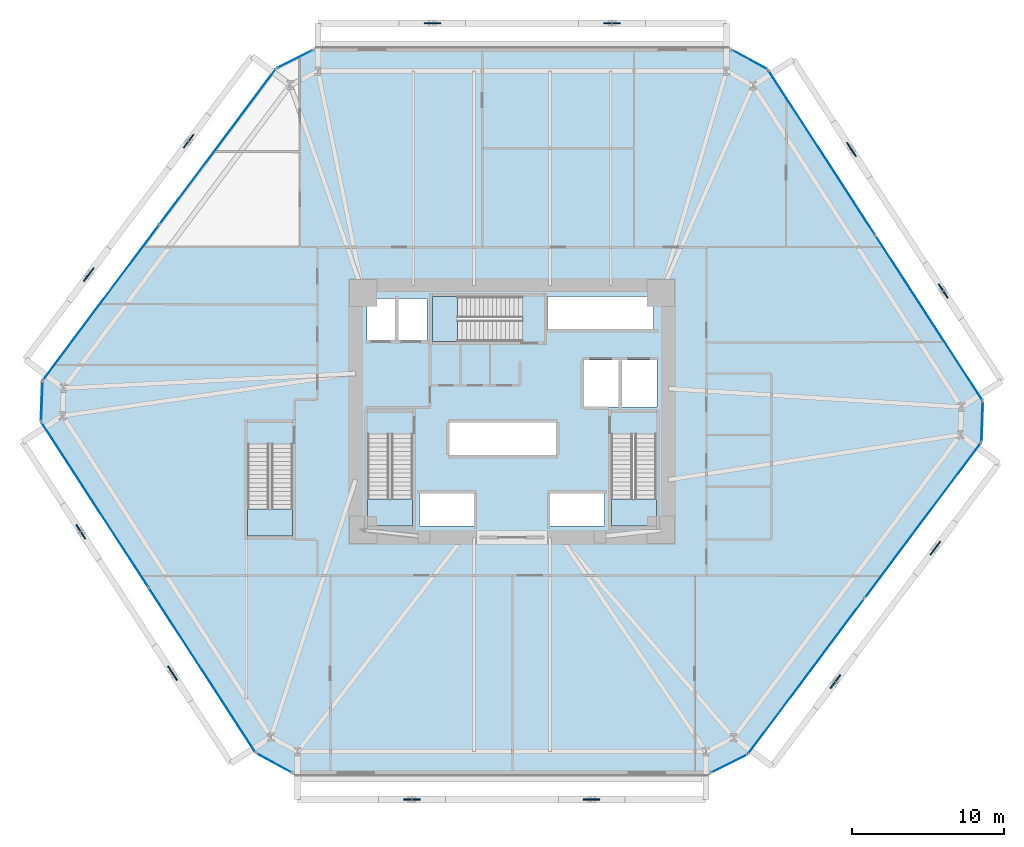
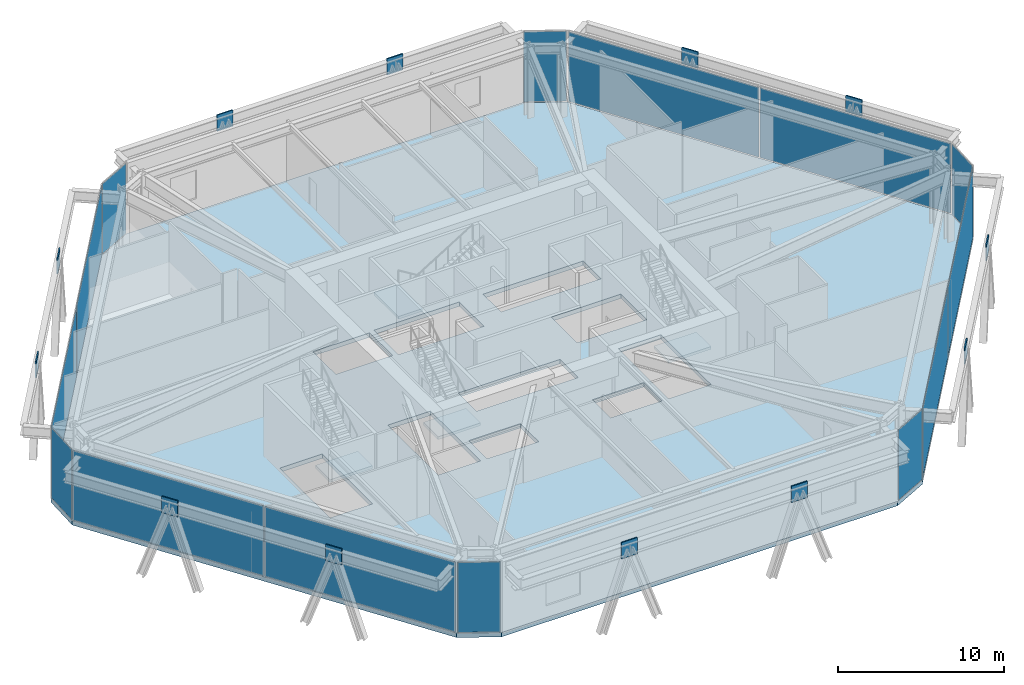
# One storey, part 12 of 23: 26 plates, 5 slabs, 14 elements without a shape of their own.
"""IFC4 building model written with IfcOpenShell, lengths in metres."""

from ifc_helpers import new_model, si_unit, direction, frame, origin, origin_2d, place, context, subcontext, project, spatial, polyline, rectangle, outline, extrude, source, transform, mapped, material, layer, layer_set, type_object, type_shapes, element, aggregate, save


model = new_model("IFC4")

# Units and contexts
model_context = context("Model", 3, precision=1e-05, world=origin(), true_north=direction((0.0, 1.0)))
body_context = subcontext(model_context, "Body", "Model", "MODEL_VIEW")
ifc_project = project(units=[si_unit("LENGTHUNIT", "METRE"), si_unit("AREAUNIT", "SQUARE_METRE"), si_unit("VOLUMEUNIT", "CUBIC_METRE"), si_unit("PLANEANGLEUNIT", "RADIAN"), si_unit("MASSUNIT", "GRAM", prefix="KILO")], contexts=[model_context])

# Site, building, storey
site_placement = place(None, origin())
site = spatial("IfcSite", under=ifc_project, at=site_placement, CompositionType="ELEMENT")
building_placement = place(site_placement, origin())
building = spatial("IfcBuilding", under=site, at=building_placement, Name="Durnholm Broadcast Tower", CompositionType="ELEMENT")
storey_placement = place(building_placement, frame((0.0, 0.0, 21.199951171875)))
storey = spatial("IfcBuildingStorey", under=building, at=storey_placement, Name="L04", CompositionType="ELEMENT", Elevation=21.199951171875)

# Slab
ifc_material_1 = material(Name="Concrete C50/60", Category="concrete")
ifc_layer_1 = layer(ifc_material_1, 0.320068359375)
ifc_layer_set_1 = layer_set([ifc_layer_1], Name="Concrete C50/60")
slab_type_1 = type_object("IfcSlabType", Name="SLAB-FLR-320", PredefinedType="FLOOR", material=ifc_layer_set_1)
slab_1_placement = place(storey_placement, frame((0.0, 0.0, -0.320068359375)))
element("IfcSlab", 1, at=slab_1_placement, inside=storey, type_object=slab_type_1, Name="L04 structural floor slab", PredefinedType="FLOOR", context=body_context, shape_type="SweptSolid", body=[
    extrude(outline(polyline([(-16.847412109375, -22.510986328125), (-14.47509765625, -23.800048828125), (13.102783203125, -23.800048828125), (15.51708984375, -22.59130859375), (30.913818359375, -2.01708984375), (31.00439453125, 0.681396484375), (16.847412109375, 22.510986328125), (14.47509765625, 23.800048828125), (-13.102783203125, 23.800048828125), (-15.51708984375, 22.59130859375), (-30.913818359375, 2.01708984375), (-31.00439453125, -0.681396484375), (-16.847412109375, -22.510986328125)]), holes=[polyline([(-2.5, -5.35009765625), (-6.10009765625, -5.35009765625), (-6.10009765625, -7.550048828125), (-2.5, -7.550048828125), (-2.5, -5.35009765625)]), polyline([(6.10009765625, -5.35009765625), (2.5, -5.35009765625), (2.5, -7.550048828125), (6.10009765625, -7.550048828125), (6.10009765625, -5.35009765625)]), polyline([(-14.43994140625, -8.199951171875), (-14.43994140625, -2.14990234375), (-17.39990234375, -2.14990234375), (-17.39990234375, -8.199951171875), (-14.43994140625, -8.199951171875)]), polyline([(-9.5, -7.550048828125), (-6.5400390625, -7.550048828125), (-6.5400390625, -1.5), (-9.5, -1.5), (-9.5, -7.550048828125)]), polyline([(6.5400390625, -7.550048828125), (9.5, -7.550048828125), (9.5, -1.5), (6.5400390625, -1.5), (6.5400390625, -7.550048828125)]), polyline([(2.949951171875, -0.699951171875), (-4.14990234375, -0.699951171875), (-4.14990234375, -2.89990234375), (2.949951171875, -2.89990234375), (2.949951171875, -0.699951171875)]), polyline([(9.550048828125, 3.39990234375), (4.699951171875, 3.39990234375), (4.699951171875, 0.300048828125), (9.550048828125, 0.300048828125), (9.550048828125, 3.39990234375)]), polyline([(-5.60009765625, 7.449951171875), (-9.550048828125, 7.449951171875), (-9.550048828125, 4.699951171875), (-5.60009765625, 4.699951171875), (-5.60009765625, 7.449951171875)]), polyline([(-5.25, 7.56005859375), (-5.25, 4.60009765625), (0.699951171875, 4.60009765625), (0.699951171875, 7.56005859375), (-5.25, 7.56005859375)]), polyline([(9.31005859375, 5.39990234375), (9.31005859375, 7.550048828125), (2.35009765625, 7.550048828125), (2.35009765625, 5.39990234375), (9.31005859375, 5.39990234375)])]), origin(), (0.0, 0.0, 1.0), 0.320068359375),
])

# Stair, slab
stair_type = type_object("IfcStairType", Name="STAIR-DL-32R1750", PredefinedType="HALF_TURN_STAIR", material=ifc_material_1)
stair_1_placement = place(storey_placement, origin())
stair_1 = element("IfcStair", 2, at=stair_1_placement, inside=storey, type_object=stair_type, Name="L04 ST-1", PredefinedType="HALF_TURN_STAIR")
ifc_layer_2 = layer(ifc_material_1, 0.199951171875)
ifc_layer_set_2 = layer_set([ifc_layer_2], Name="Concrete C50/60")
slab_type_2 = type_object("IfcSlabType", Name="SLAB-LND-200", PredefinedType="LANDING", material=ifc_layer_set_2)
slab_2_placement = place(storey_placement, frame((0.0, 0.0, 2.60009765625)))
slab_2 = element("IfcSlab", 3, at=slab_2_placement, type_object=slab_type_2, Name="ST-1 landing 1", PredefinedType="LANDING", context=body_context, shape_type="SweptSolid", body=[
    extrude(outline(polyline([(-9.5, -5.77490234375), (-9.5, -7.550048828125), (-6.5400390625, -7.550048828125), (-6.5400390625, -5.77490234375), (-9.5, -5.77490234375)])), origin(), (0.0, 0.0, 1.0), 0.199951171875),
])
aggregate(stair_1, [slab_2])

stair_2_placement = place(storey_placement, origin())
stair_2 = element("IfcStair", 4, at=stair_2_placement, inside=storey, type_object=stair_type, Name="L04 ST-2", PredefinedType="HALF_TURN_STAIR")
slab_3_placement = place(storey_placement, frame((0.0, 0.0, 2.60009765625)))
slab_3 = element("IfcSlab", 5, at=slab_3_placement, type_object=slab_type_2, Name="ST-2 landing 1", PredefinedType="LANDING", context=body_context, shape_type="SweptSolid", body=[
    extrude(outline(polyline([(6.5400390625, -5.77490234375), (6.5400390625, -7.550048828125), (9.5, -7.550048828125), (9.5, -5.77490234375), (6.5400390625, -5.77490234375)])), origin(), (0.0, 0.0, 1.0), 0.199951171875),
])
aggregate(stair_2, [slab_3])

stair_3_placement = place(storey_placement, origin())
stair_3 = element("IfcStair", 6, at=stair_3_placement, inside=storey, type_object=stair_type, Name="L04 ST-3", PredefinedType="HALF_TURN_STAIR")
slab_4_placement = place(storey_placement, frame((0.0, 0.0, 2.60009765625)))
slab_4 = element("IfcSlab", 7, at=slab_4_placement, type_object=slab_type_2, Name="ST-3 landing 1", PredefinedType="LANDING", context=body_context, shape_type="SweptSolid", body=[
    extrude(outline(polyline([(-3.574951171875, 7.56005859375), (-5.25, 7.56005859375), (-5.25, 4.60009765625), (-3.574951171875, 4.60009765625), (-3.574951171875, 7.56005859375)])), origin(), (0.0, 0.0, 1.0), 0.199951171875),
])
aggregate(stair_3, [slab_4])

stair_4_placement = place(storey_placement, origin())
stair_4 = element("IfcStair", 8, at=stair_4_placement, inside=storey, type_object=stair_type, Name="L04 ST-4", PredefinedType="HALF_TURN_STAIR")
slab_5_placement = place(storey_placement, frame((0.0, 0.0, 2.60009765625)))
slab_5 = element("IfcSlab", 9, at=slab_5_placement, type_object=slab_type_2, Name="ST-4 landing 1", PredefinedType="LANDING", context=body_context, shape_type="SweptSolid", body=[
    extrude(outline(polyline([(-17.39990234375, -6.425048828125), (-17.39990234375, -8.199951171875), (-14.43994140625, -8.199951171875), (-14.43994140625, -6.425048828125), (-17.39990234375, -6.425048828125)])), origin(), (0.0, 0.0, 1.0), 0.199951171875),
])
aggregate(stair_4, [slab_5])

# Plates
ifc_material_2 = material(Name="Steel ASTM A572 Grade 50", Category="steel")
ifc_layer_3 = layer(ifc_material_2, 0.080078125)
ifc_layer_set_3 = layer_set([ifc_layer_3], Name="Steel ASTM A572 Grade 50")
plate_type_1 = type_object("IfcPlateType", Name="PLT-KN01-GUS", PredefinedType="USERDEFINED", material=ifc_layer_set_3)
shared_shape_1 = source(origin(), body_context, "Body", "SweptSolid", [
    extrude(rectangle(XDim=1.10009765625, YDim=0.080078125, at=origin_2d()), origin(), (0.0, 0.0, 1.0), 1.199951171875),
])
type_shapes(plate_type_1, [shared_shape_1])
for number, where, z_axis, x_axis, name in (
    (10, (-6.58984375, -25.550048828125, 3.9287109375), (0.0, 0.0, 1.0), (1.0, 0.0, 0.0), "L04 welded diagrid node gusset plate KN01 F1"),
    (11, (5.242431640625, -25.550048828125, 3.9287109375), (0.0, 0.0, 1.0), (1.0, 0.0, 0.0), "L04 welded diagrid node gusset plate KN01 F1"),
    (12, (21.298095703125, -17.787109375, 3.9287109375), (0.0, 0.0, 1.0), (0.59916334338, 0.800626809413, 0.0), "L04 welded diagrid node gusset plate KN01 F2"),
    (13, (27.86962890625, -9.005859375, 3.9287109375), (0.0, 0.0, 1.0), (0.59916334338, 0.800626809413, 0.0), "L04 welded diagrid node gusset plate KN01 F2"),
    (14, (28.390625, 7.927978515625, 3.9287109375), (0.0, 0.0, 1.0), (-0.544053399827, 0.839050593311, 0.0), "L04 welded diagrid node gusset plate KN01 F3"),
    (15, (22.35205078125, 17.2392578125, 3.9287109375), (0.0, 0.0, 1.0), (-0.544053399827, 0.839050593311, 0.0), "L04 welded diagrid node gusset plate KN01 F3"),
    (16, (6.58984375, 25.550048828125, 3.9287109375), (0.0, 0.0, 1.0), (-1.0, 0.0, 0.0), "L04 welded diagrid node gusset plate KN01 F4"),
    (17, (-5.242431640625, 25.550048828125, 3.9287109375), (0.0, 0.0, 1.0), (-1.0, 0.0, 0.0), "L04 welded diagrid node gusset plate KN01 F4"),
    (18, (-21.298095703125, 17.787109375, 3.9287109375), (0.0, 0.0, 1.0), (-0.59916334338, -0.800626809413, 0.0), "L04 welded diagrid node gusset plate KN01 F5"),
    (19, (-27.86962890625, 9.005859375, 3.9287109375), (0.0, 0.0, 1.0), (-0.59916334338, -0.800626809413, 0.0), "L04 welded diagrid node gusset plate KN01 F5"),
    (20, (-28.390625, -7.927978515625, 3.9287109375), (0.0, 0.0, 1.0), (0.544053399827, -0.839050593311, 0.0), "L04 welded diagrid node gusset plate KN01 F6"),
    (21, (-22.35205078125, -17.2392578125, 3.9287109375), (0.0, 0.0, 1.0), (0.544053399827, -0.839050593311, 0.0), "L04 welded diagrid node gusset plate KN01 F6"),
):
    element("IfcPlate", number, at=place(storey_placement, frame(where, z_axis=z_axis, x_axis=x_axis)), inside=storey, type_object=plate_type_1, Name=name, ObjectType="GUSSET_PLATE", PredefinedType="USERDEFINED", context=body_context, shape_type="MappedRepresentation", body=[
        mapped(shared_shape_1, transform((0.0, 0.0, 0.0), x_axis=(1.0, 0.0, 0.0), y_axis=(0.0, 1.0, 0.0), z_axis=(0.0, 0.0, 1.0), scale=1.0)),
    ])

# Curtain wall, plate
ifc_material_3 = material(Name="Aluminium and Solar Control IGU", Category="aluminium")
ifc_layer_4 = layer(ifc_material_3, 0.1650390625)
ifc_layer_set_4 = layer_set([ifc_layer_4], Name="Aluminium and Solar Control IGU")
curtain_wall_type_1 = type_object("IfcCurtainWallType", Name="CW-SYS-5", PredefinedType="NOTDEFINED", material=ifc_layer_set_4)
curtain_wall_1_placement = place(storey_placement, origin())
curtain_wall_1 = element("IfcCurtainWall", 22, at=curtain_wall_1_placement, inside=storey, type_object=curtain_wall_type_1, Name="L04 curtain wall CW-CORNER CW-L04-CRN-01", PredefinedType="NOTDEFINED")
ifc_material_4 = material(Name="Low-E Laminated Insulating Glass", Category="glass")
ifc_layer_5 = layer(ifc_material_4, 0.030029296875)
ifc_layer_set_5 = layer_set([ifc_layer_5], Name="Low-E Laminated Insulating Glass")
plate_type_2 = type_object("IfcPlateType", Name="CW-SYS-5-PNL", PredefinedType="CURTAIN_PANEL", material=ifc_layer_set_5)
shared_shape_2 = source(origin(), body_context, "Body", "SweptSolid", [
    extrude(rectangle(XDim=2.56982421875, YDim=0.030029296875, at=origin_2d()), origin(), (0.0, 0.0, 1.0), 5.14990234375),
])
plate_1_placement = place(storey_placement, frame((-30.959228515625, 0.66796875, 0.065185546875), z_axis=(0.0, 0.0, 1.0), x_axis=(0.033556543118, 0.999436820621, 0.0)))
plate_1 = element("IfcPlate", 23, at=plate_1_placement, type_object=plate_type_2, Name="CW-CORNER panel 1.1", PredefinedType="CURTAIN_PANEL", context=body_context, shape_type="MappedRepresentation", body=[
    mapped(shared_shape_2, transform((0.0, 0.0, 0.0), x_axis=(1.0, 0.0, 0.0), y_axis=(0.0, 1.0, 0.0), z_axis=(0.0, 0.0, 1.0), scale=1.0)),
])
aggregate(curtain_wall_1, [plate_1])

curtain_wall_2_placement = place(storey_placement, origin())
curtain_wall_2 = element("IfcCurtainWall", 24, at=curtain_wall_2_placement, inside=storey, type_object=curtain_wall_type_1, Name="L04 curtain wall CW-CORNER CW-L04-CRN-07", PredefinedType="NOTDEFINED")
plate_2_placement = place(storey_placement, frame((30.959228515625, -0.66796875, 0.065185546875), z_axis=(0.0, 0.0, 1.0), x_axis=(-0.033556543118, -0.999436820621, 0.0)))
plate_2 = element("IfcPlate", 25, at=plate_2_placement, type_object=plate_type_2, Name="CW-CORNER panel 1.1", PredefinedType="CURTAIN_PANEL", context=body_context, shape_type="MappedRepresentation", body=[
    mapped(shared_shape_2, transform((0.0, 0.0, 0.0), x_axis=(1.0, 0.0, 0.0), y_axis=(0.0, 1.0, 0.0), z_axis=(0.0, 0.0, 1.0), scale=1.0)),
])
aggregate(curtain_wall_2, [plate_2])

# Curtain wall, plates
ifc_layer_6 = layer(ifc_material_3, 0.219970703125)
ifc_layer_set_6 = layer_set([ifc_layer_6], Name="Aluminium and Solar Control IGU")
curtain_wall_type_2 = type_object("IfcCurtainWallType", Name="CW-SYS-2", PredefinedType="NOTDEFINED", material=ifc_layer_set_6)
curtain_wall_3_placement = place(storey_placement, origin())
curtain_wall_3 = element("IfcCurtainWall", 26, at=curtain_wall_3_placement, inside=storey, type_object=curtain_wall_type_2, Name="L04 curtain wall CW-STUDIO CW-L04-F02", PredefinedType="NOTDEFINED")
ifc_layer_7 = layer(ifc_material_4, 0.0400390625)
ifc_layer_set_7 = layer_set([ifc_layer_7], Name="Low-E Laminated Insulating Glass")
plate_type_3 = type_object("IfcPlateType", Name="CW-SYS-2-PNL", PredefinedType="CURTAIN_PANEL", material=ifc_layer_set_7)
shared_shape_3 = source(origin(), body_context, "Body", "SweptSolid", [
    extrude(rectangle(XDim=12.736328125, YDim=0.0400390625, at=origin_2d()), origin(), (0.0, 0.0, 1.0), 5.1298828125),
])
plate_3_placement = place(storey_placement, frame((-27.053466796875, 7.17578125, 0.0751953125), z_axis=(0.0, 0.0, 1.0), x_axis=(0.59915662615, 0.800631836327, 0.0)))
plate_3 = element("IfcPlate", 27, at=plate_3_placement, type_object=plate_type_3, Name="CW-STUDIO panel 1.1", PredefinedType="CURTAIN_PANEL", context=body_context, shape_type="MappedRepresentation", body=[
    mapped(shared_shape_3, transform((0.0, 0.0, 0.0), x_axis=(1.0, 0.0, 0.0), y_axis=(0.0, 1.0, 0.0), z_axis=(0.0, 0.0, 1.0), scale=1.0)),
])
plate_4_placement = place(storey_placement, frame((-19.37744140625, 17.4326171875, 0.0751953125), z_axis=(0.0, 0.0, 1.0), x_axis=(0.59915662615, 0.800631836327, 0.0)))
plate_4 = element("IfcPlate", 28, at=plate_4_placement, type_object=plate_type_3, Name="CW-STUDIO panel 2.1", PredefinedType="CURTAIN_PANEL", context=body_context, shape_type="MappedRepresentation", body=[
    mapped(shared_shape_3, transform((0.0, 0.0, 0.0), x_axis=(1.0, 0.0, 0.0), y_axis=(0.0, 1.0, 0.0), z_axis=(0.0, 0.0, 1.0), scale=1.0)),
])
aggregate(curtain_wall_3, [plate_3, plate_4])

curtain_wall_4_placement = place(storey_placement, origin())
curtain_wall_4 = element("IfcCurtainWall", 29, at=curtain_wall_4_placement, inside=storey, type_object=curtain_wall_type_2, Name="L04 curtain wall CW-STUDIO CW-L04-F08", PredefinedType="NOTDEFINED")
plate_5_placement = place(storey_placement, frame((27.053466796875, -7.17578125, 0.0751953125), z_axis=(0.0, 0.0, 1.0), x_axis=(-0.59915662615, -0.800631836327, 0.0)))
plate_5 = element("IfcPlate", 30, at=plate_5_placement, type_object=plate_type_3, Name="CW-STUDIO panel 1.1", PredefinedType="CURTAIN_PANEL", context=body_context, shape_type="MappedRepresentation", body=[
    mapped(shared_shape_3, transform((0.0, 0.0, 0.0), x_axis=(1.0, 0.0, 0.0), y_axis=(0.0, 1.0, 0.0), z_axis=(0.0, 0.0, 1.0), scale=1.0)),
])
plate_6_placement = place(storey_placement, frame((19.37744140625, -17.4326171875, 0.0751953125), z_axis=(0.0, 0.0, 1.0), x_axis=(-0.59915662615, -0.800631836327, 0.0)))
plate_6 = element("IfcPlate", 31, at=plate_6_placement, type_object=plate_type_3, Name="CW-STUDIO panel 2.1", PredefinedType="CURTAIN_PANEL", context=body_context, shape_type="MappedRepresentation", body=[
    mapped(shared_shape_3, transform((0.0, 0.0, 0.0), x_axis=(1.0, 0.0, 0.0), y_axis=(0.0, 1.0, 0.0), z_axis=(0.0, 0.0, 1.0), scale=1.0)),
])
aggregate(curtain_wall_4, [plate_5, plate_6])

# Curtain wall, plate
curtain_wall_5_placement = place(storey_placement, origin())
curtain_wall_5 = element("IfcCurtainWall", 32, at=curtain_wall_5_placement, inside=storey, type_object=curtain_wall_type_1, Name="L04 curtain wall CW-CORNER CW-L04-CRN-03", PredefinedType="NOTDEFINED")
shared_shape_4 = source(origin(), body_context, "Body", "SweptSolid", [
    extrude(rectangle(XDim=2.570068359375, YDim=0.030029296875, at=origin_2d()), origin(), (0.0, 0.0, 1.0), 5.14990234375),
])
type_shapes(plate_type_2, [shared_shape_2, shared_shape_4])
plate_7_placement = place(storey_placement, frame((-14.31005859375, 23.195556640625, 0.065185546875), z_axis=(0.0, 0.0, 1.0), x_axis=(0.894197440313, 0.447672802098, 0.0)))
plate_7 = element("IfcPlate", 33, at=plate_7_placement, type_object=plate_type_2, Name="CW-CORNER panel 1.1", PredefinedType="CURTAIN_PANEL", context=body_context, shape_type="MappedRepresentation", body=[
    mapped(shared_shape_4, transform((0.0, 0.0, 0.0), x_axis=(1.0, 0.0, 0.0), y_axis=(0.0, 1.0, 0.0), z_axis=(0.0, 0.0, 1.0), scale=1.0)),
])
aggregate(curtain_wall_5, [plate_7])

curtain_wall_6_placement = place(storey_placement, origin())
curtain_wall_6 = element("IfcCurtainWall", 34, at=curtain_wall_6_placement, inside=storey, type_object=curtain_wall_type_1, Name="L04 curtain wall CW-CORNER CW-L04-CRN-05", PredefinedType="NOTDEFINED")
plate_8_placement = place(storey_placement, frame((15.661376953125, 23.155517578125, 0.065185546875), z_axis=(0.0, 0.0, 1.0), x_axis=(0.878663016429, -0.477442460995, 0.0)))
plate_8 = element("IfcPlate", 35, at=plate_8_placement, type_object=plate_type_2, Name="CW-CORNER panel 1.1", PredefinedType="CURTAIN_PANEL", context=body_context, shape_type="MappedRepresentation", body=[
    mapped(shared_shape_4, transform((0.0, 0.0, 0.0), x_axis=(1.0, 0.0, 0.0), y_axis=(0.0, 1.0, 0.0), z_axis=(0.0, 0.0, 1.0), scale=1.0)),
])
aggregate(curtain_wall_6, [plate_8])

curtain_wall_7_placement = place(storey_placement, origin())
curtain_wall_7 = element("IfcCurtainWall", 36, at=curtain_wall_7_placement, inside=storey, type_object=curtain_wall_type_1, Name="L04 curtain wall CW-CORNER CW-L04-CRN-09", PredefinedType="NOTDEFINED")
plate_9_placement = place(storey_placement, frame((14.31005859375, -23.195556640625, 0.065185546875), z_axis=(0.0, 0.0, 1.0), x_axis=(-0.894197440313, -0.447672802098, 0.0)))
plate_9 = element("IfcPlate", 37, at=plate_9_placement, type_object=plate_type_2, Name="CW-CORNER panel 1.1", PredefinedType="CURTAIN_PANEL", context=body_context, shape_type="MappedRepresentation", body=[
    mapped(shared_shape_4, transform((0.0, 0.0, 0.0), x_axis=(1.0, 0.0, 0.0), y_axis=(0.0, 1.0, 0.0), z_axis=(0.0, 0.0, 1.0), scale=1.0)),
])
aggregate(curtain_wall_7, [plate_9])

curtain_wall_8_placement = place(storey_placement, origin())
curtain_wall_8 = element("IfcCurtainWall", 38, at=curtain_wall_8_placement, inside=storey, type_object=curtain_wall_type_1, Name="L04 curtain wall CW-CORNER CW-L04-CRN-11", PredefinedType="NOTDEFINED")
plate_10_placement = place(storey_placement, frame((-15.661376953125, -23.155517578125, 0.065185546875), z_axis=(0.0, 0.0, 1.0), x_axis=(-0.878663016429, 0.477442460995, 0.0)))
plate_10 = element("IfcPlate", 39, at=plate_10_placement, type_object=plate_type_2, Name="CW-CORNER panel 1.1", PredefinedType="CURTAIN_PANEL", context=body_context, shape_type="MappedRepresentation", body=[
    mapped(shared_shape_4, transform((0.0, 0.0, 0.0), x_axis=(1.0, 0.0, 0.0), y_axis=(0.0, 1.0, 0.0), z_axis=(0.0, 0.0, 1.0), scale=1.0)),
])
aggregate(curtain_wall_8, [plate_10])

# Curtain wall, plates
curtain_wall_9_placement = place(storey_placement, origin())
curtain_wall_9 = element("IfcCurtainWall", 40, at=curtain_wall_9_placement, inside=storey, type_object=curtain_wall_type_2, Name="L04 curtain wall CW-STUDIO CW-L04-F06", PredefinedType="NOTDEFINED")
shared_shape_5 = source(origin(), body_context, "Body", "SweptSolid", [
    extrude(rectangle(XDim=12.896728515625, YDim=0.0400390625, at=origin_2d()), origin(), (0.0, 0.0, 1.0), 5.1298828125),
])
type_shapes(plate_type_3, [shared_shape_3, shared_shape_5])
plate_11_placement = place(storey_placement, frame((20.39697265625, 17.037841796875, 0.0751953125), z_axis=(0.0, 0.0, 1.0), x_axis=(0.544116964926, -0.839009373297, 0.0)))
plate_11 = element("IfcPlate", 41, at=plate_11_placement, type_object=plate_type_3, Name="CW-STUDIO panel 1.1", PredefinedType="CURTAIN_PANEL", context=body_context, shape_type="MappedRepresentation", body=[
    mapped(shared_shape_5, transform((0.0, 0.0, 0.0), x_axis=(1.0, 0.0, 0.0), y_axis=(0.0, 1.0, 0.0), z_axis=(0.0, 0.0, 1.0), scale=1.0)),
])
plate_12_placement = place(storey_placement, frame((27.455078125, 6.154541015625, 0.0751953125), z_axis=(0.0, 0.0, 1.0), x_axis=(0.544116964926, -0.839009373297, 0.0)))
plate_12 = element("IfcPlate", 42, at=plate_12_placement, type_object=plate_type_3, Name="CW-STUDIO panel 2.1", PredefinedType="CURTAIN_PANEL", context=body_context, shape_type="MappedRepresentation", body=[
    mapped(shared_shape_5, transform((0.0, 0.0, 0.0), x_axis=(1.0, 0.0, 0.0), y_axis=(0.0, 1.0, 0.0), z_axis=(0.0, 0.0, 1.0), scale=1.0)),
])
aggregate(curtain_wall_9, [plate_11, plate_12])

curtain_wall_10_placement = place(storey_placement, origin())
curtain_wall_10 = element("IfcCurtainWall", 43, at=curtain_wall_10_placement, inside=storey, type_object=curtain_wall_type_2, Name="L04 curtain wall CW-STUDIO CW-L04-F12", PredefinedType="NOTDEFINED")
plate_13_placement = place(storey_placement, frame((-20.39697265625, -17.037841796875, 0.0751953125), z_axis=(0.0, 0.0, 1.0), x_axis=(-0.544116964926, 0.839009373297, 0.0)))
plate_13 = element("IfcPlate", 44, at=plate_13_placement, type_object=plate_type_3, Name="CW-STUDIO panel 1.1", PredefinedType="CURTAIN_PANEL", context=body_context, shape_type="MappedRepresentation", body=[
    mapped(shared_shape_5, transform((0.0, 0.0, 0.0), x_axis=(1.0, 0.0, 0.0), y_axis=(0.0, 1.0, 0.0), z_axis=(0.0, 0.0, 1.0), scale=1.0)),
])
plate_14_placement = place(storey_placement, frame((-27.455078125, -6.154541015625, 0.0751953125), z_axis=(0.0, 0.0, 1.0), x_axis=(-0.544116964926, 0.839009373297, 0.0)))
plate_14 = element("IfcPlate", 45, at=plate_14_placement, type_object=plate_type_3, Name="CW-STUDIO panel 2.1", PredefinedType="CURTAIN_PANEL", context=body_context, shape_type="MappedRepresentation", body=[
    mapped(shared_shape_5, transform((0.0, 0.0, 0.0), x_axis=(1.0, 0.0, 0.0), y_axis=(0.0, 1.0, 0.0), z_axis=(0.0, 0.0, 1.0), scale=1.0)),
])
aggregate(curtain_wall_10, [plate_13, plate_14])

save(model, "model.ifc")
